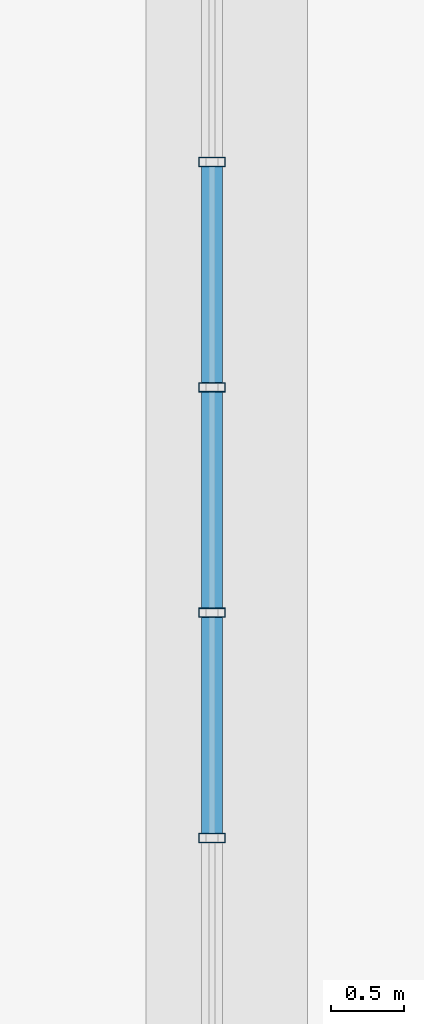
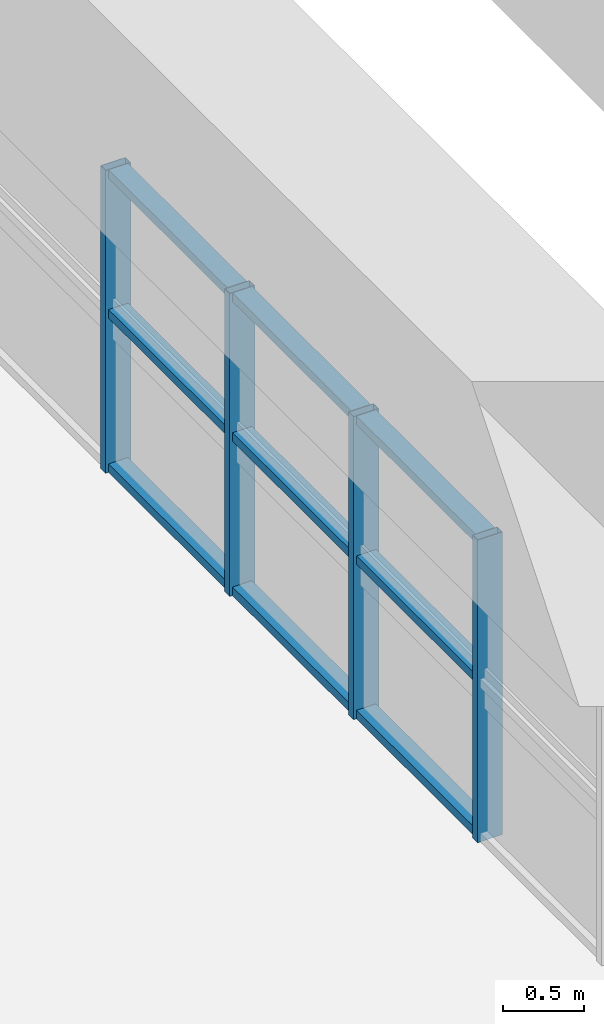
# One storey, part 17 of 35: 13 members, 1 element without a shape of its own.
"""IFC4 building model written with IfcOpenShell, lengths in metres."""

from ifc_helpers import new_model, si_unit, direction, frame, origin, origin_2d, place, context, subcontext, project, spatial, hollow_rectangle, extrude, source, transform, mapped, material, layer, layer_set, material_profile, profile_set, type_object, element, aggregate, save


model = new_model("IFC4")

# Units and contexts
model_context = context("Model", 3, precision=1e-05, world=origin(), true_north=direction((0.0, 1.0)))
body_context = subcontext(model_context, "Body", "Model", "MODEL_VIEW")
ifc_project = project(units=[si_unit("LENGTHUNIT", "METRE"), si_unit("AREAUNIT", "SQUARE_METRE"), si_unit("VOLUMEUNIT", "CUBIC_METRE"), si_unit("PLANEANGLEUNIT", "RADIAN"), si_unit("MASSUNIT", "GRAM", prefix="KILO")], contexts=[model_context])

# Site, building, storey
site_placement = place(None, origin())
site = spatial("IfcSite", under=ifc_project, at=site_placement, CompositionType="ELEMENT")
building_placement = place(site_placement, origin())
building = spatial("IfcBuilding", under=site, at=building_placement, Name="Saelheon Loggia Tower", CompositionType="ELEMENT")
storey_placement = place(building_placement, frame((0.0, 0.0, 70.39990234375)))
storey = spatial("IfcBuildingStorey", under=building, at=storey_placement, Name="L22", CompositionType="ELEMENT", Elevation=70.39990234375)

# Curtain wall, members
ifc_material_1 = material(Name="Anodised Aluminium Acoustic Louvre Curtain Wall", Category="aluminium")
ifc_layer = layer(ifc_material_1, 0.179931640625)
ifc_layer_set = layer_set([ifc_layer], Name="Anodised Aluminium Acoustic Louvre Curtain Wall")
curtain_wall_type = type_object("IfcCurtainWallType", Name="CW_RefugeAcoustic", PredefinedType="NOTDEFINED", material=ifc_layer_set)
curtain_wall_placement = place(storey_placement, origin())
curtain_wall = element("IfcCurtainWall", 1, at=curtain_wall_placement, inside=storey, type_object=curtain_wall_type, Name="L22 E Refuge Acoustic Curtain Wall 2", PredefinedType="NOTDEFINED")
ifc_material_2 = material(Name="Anodised Aluminium 6063-T6", Category="aluminium")
ifc_material_profile_1 = material_profile(ifc_material_2, hollow_rectangle(XDim=0.06494140625, YDim=0.179931640625, WallThickness=0.00390625, at=origin_2d()), Name="RHS-180x65x4")
ifc_profile_set_1 = profile_set([ifc_material_profile_1], Name="Anodised Aluminium 6063-T6")
member_type_1 = type_object("IfcMemberType", Name="CW_RefugeAcoustic_Mullion", PredefinedType="MULLION", material=ifc_profile_set_1)
shared_shape_1 = source(origin(), body_context, "Body", "SweptSolid", [
    extrude(hollow_rectangle(XDim=0.06494140625, YDim=0.179931640625, WallThickness=0.00390625, at=origin_2d()), origin(), (0.0, 0.0, 1.0), 2.2900390625),
])
member_1_placement = place(storey_placement, frame((63.89990234375, 27.76806640625, 0.0), z_axis=(0.0, 0.0, 1.0), x_axis=(0.0, 1.0, 0.0)))
member_1 = element("IfcMember", 2, at=member_1_placement, type_object=member_type_1, Name="CW5 mullion 7", PredefinedType="MULLION", context=body_context, shape_type="MappedRepresentation", body=[
    mapped(shared_shape_1, transform((0.0, 0.0, 0.0), scale=1.0)),
])
member_2_placement = place(storey_placement, frame((63.89990234375, 29.304443359375, 0.0), z_axis=(0.0, 0.0, 1.0), x_axis=(0.0, 1.0, 0.0)))
member_2 = element("IfcMember", 3, at=member_2_placement, type_object=member_type_1, Name="CW5 mullion 8", PredefinedType="MULLION", context=body_context, shape_type="MappedRepresentation", body=[
    mapped(shared_shape_1, transform((0.0, 0.0, 0.0), scale=1.0)),
])
member_3_placement = place(storey_placement, frame((63.89990234375, 30.8408203125, 0.0), z_axis=(0.0, 0.0, 1.0), x_axis=(0.0, 1.0, 0.0)))
member_3 = element("IfcMember", 4, at=member_3_placement, type_object=member_type_1, Name="CW5 mullion 9", PredefinedType="MULLION", context=body_context, shape_type="MappedRepresentation", body=[
    mapped(shared_shape_1, transform((0.0, 0.0, 0.0), scale=1.0)),
])
member_4_placement = place(storey_placement, frame((63.89990234375, 32.377197265625, 0.0), z_axis=(0.0, 0.0, 1.0), x_axis=(0.0, 1.0, 0.0)))
member_4 = element("IfcMember", 5, at=member_4_placement, type_object=member_type_1, Name="CW5 mullion 10", PredefinedType="MULLION", context=body_context, shape_type="MappedRepresentation", body=[
    mapped(shared_shape_1, transform((0.0, 0.0, 0.0), scale=1.0)),
])
ifc_material_profile_2 = material_profile(ifc_material_2, hollow_rectangle(XDim=0.06494140625, YDim=0.139892578125, WallThickness=0.00390625, at=origin_2d()), Name="RHS-140x65x4")
ifc_profile_set_2 = profile_set([ifc_material_profile_2], Name="Anodised Aluminium 6063-T6")
member_type_2 = type_object("IfcMemberType", Name="CW_RefugeAcoustic_Transom", PredefinedType="USERDEFINED", material=ifc_profile_set_2)
shared_shape_2 = source(origin(), body_context, "Body", "SweptSolid", [
    extrude(hollow_rectangle(XDim=0.06494140625, YDim=0.139892578125, WallThickness=0.00390625, at=origin_2d()), origin(), (0.0, 0.0, 1.0), 1.471435546875),
])
member_5_placement = place(storey_placement, frame((63.89990234375, 30.873291015625, 0.03271484375), z_axis=(0.0, 1.0, 0.0), x_axis=(0.0, 0.0, 1.0)))
member_5 = element("IfcMember", 6, at=member_5_placement, type_object=member_type_2, Name="CW5 transom 9.1", ObjectType="TRANSOM", PredefinedType="USERDEFINED", context=body_context, shape_type="MappedRepresentation", body=[
    mapped(shared_shape_2, transform((0.0, 0.0, 0.0), scale=1.0)),
])
member_6_placement = place(storey_placement, frame((63.89990234375, 30.873291015625, 1.2001953125), z_axis=(0.0, 1.0, 0.0), x_axis=(0.0, 0.0, 1.0)))
member_6 = element("IfcMember", 7, at=member_6_placement, type_object=member_type_2, Name="CW5 transom 9.2", ObjectType="TRANSOM", PredefinedType="USERDEFINED", context=body_context, shape_type="MappedRepresentation", body=[
    mapped(shared_shape_2, transform((0.0, 0.0, 0.0), scale=1.0)),
])
member_7_placement = place(storey_placement, frame((63.89990234375, 30.873291015625, 2.257568359375), z_axis=(0.0, 1.0, 0.0), x_axis=(0.0, 0.0, 1.0)))
member_7 = element("IfcMember", 8, at=member_7_placement, type_object=member_type_2, Name="CW5 transom 9.3", ObjectType="TRANSOM", PredefinedType="USERDEFINED", context=body_context, shape_type="MappedRepresentation", body=[
    mapped(shared_shape_2, transform((0.0, 0.0, 0.0), scale=1.0)),
])
shared_shape_3 = source(origin(), body_context, "Body", "SweptSolid", [
    extrude(hollow_rectangle(XDim=0.06494140625, YDim=0.139892578125, WallThickness=0.00390625, at=origin_2d()), origin(), (0.0, 0.0, 1.0), 1.47119140625),
])
member_8_placement = place(storey_placement, frame((63.89990234375, 27.80078125, 0.03271484375), z_axis=(0.0, 1.0, 0.0), x_axis=(0.0, 0.0, 1.0)))
member_8 = element("IfcMember", 9, at=member_8_placement, type_object=member_type_2, Name="CW5 transom 7.1", ObjectType="TRANSOM", PredefinedType="USERDEFINED", context=body_context, shape_type="MappedRepresentation", body=[
    mapped(shared_shape_3, transform((0.0, 0.0, 0.0), scale=1.0)),
])
member_9_placement = place(storey_placement, frame((63.89990234375, 27.80078125, 1.2001953125), z_axis=(0.0, 1.0, 0.0), x_axis=(0.0, 0.0, 1.0)))
member_9 = element("IfcMember", 10, at=member_9_placement, type_object=member_type_2, Name="CW5 transom 7.2", ObjectType="TRANSOM", PredefinedType="USERDEFINED", context=body_context, shape_type="MappedRepresentation", body=[
    mapped(shared_shape_3, transform((0.0, 0.0, 0.0), scale=1.0)),
])
member_10_placement = place(storey_placement, frame((63.89990234375, 27.80078125, 2.257568359375), z_axis=(0.0, 1.0, 0.0), x_axis=(0.0, 0.0, 1.0)))
member_10 = element("IfcMember", 11, at=member_10_placement, type_object=member_type_2, Name="CW5 transom 7.3", ObjectType="TRANSOM", PredefinedType="USERDEFINED", context=body_context, shape_type="MappedRepresentation", body=[
    mapped(shared_shape_3, transform((0.0, 0.0, 0.0), scale=1.0)),
])
member_11_placement = place(storey_placement, frame((63.89990234375, 29.337158203125, 0.03271484375), z_axis=(0.0, 1.0, 0.0), x_axis=(0.0, 0.0, 1.0)))
member_11 = element("IfcMember", 12, at=member_11_placement, type_object=member_type_2, Name="CW5 transom 8.1", ObjectType="TRANSOM", PredefinedType="USERDEFINED", context=body_context, shape_type="MappedRepresentation", body=[
    mapped(shared_shape_3, transform((0.0, 0.0, 0.0), scale=1.0)),
])
member_12_placement = place(storey_placement, frame((63.89990234375, 29.337158203125, 1.2001953125), z_axis=(0.0, 1.0, 0.0), x_axis=(0.0, 0.0, 1.0)))
member_12 = element("IfcMember", 13, at=member_12_placement, type_object=member_type_2, Name="CW5 transom 8.2", ObjectType="TRANSOM", PredefinedType="USERDEFINED", context=body_context, shape_type="MappedRepresentation", body=[
    mapped(shared_shape_3, transform((0.0, 0.0, 0.0), scale=1.0)),
])
member_13_placement = place(storey_placement, frame((63.89990234375, 29.337158203125, 2.257568359375), z_axis=(0.0, 1.0, 0.0), x_axis=(0.0, 0.0, 1.0)))
member_13 = element("IfcMember", 14, at=member_13_placement, type_object=member_type_2, Name="CW5 transom 8.3", ObjectType="TRANSOM", PredefinedType="USERDEFINED", context=body_context, shape_type="MappedRepresentation", body=[
    mapped(shared_shape_3, transform((0.0, 0.0, 0.0), scale=1.0)),
])
aggregate(curtain_wall, [member_1, member_2, member_3, member_4, member_8, member_9, member_10, member_11, member_12, member_13, member_5, member_6, member_7])

save(model, "model.ifc")
